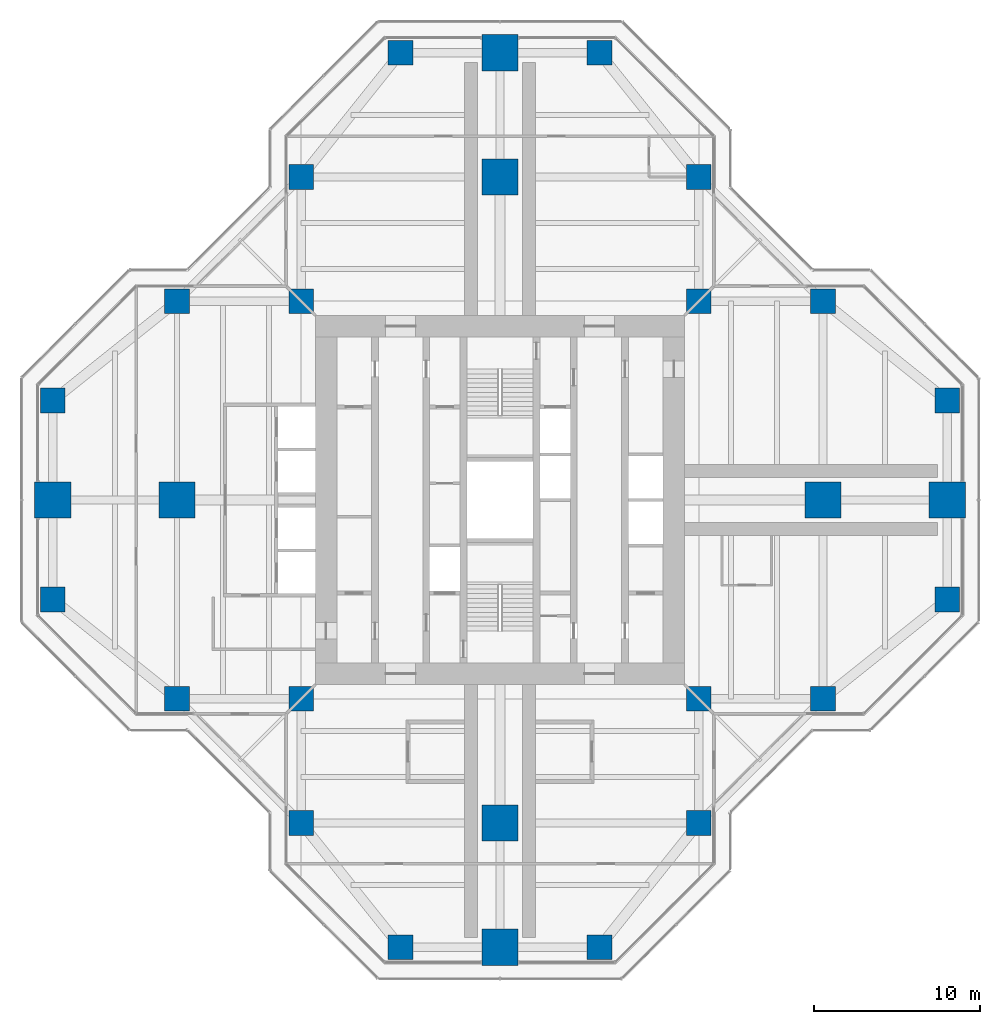
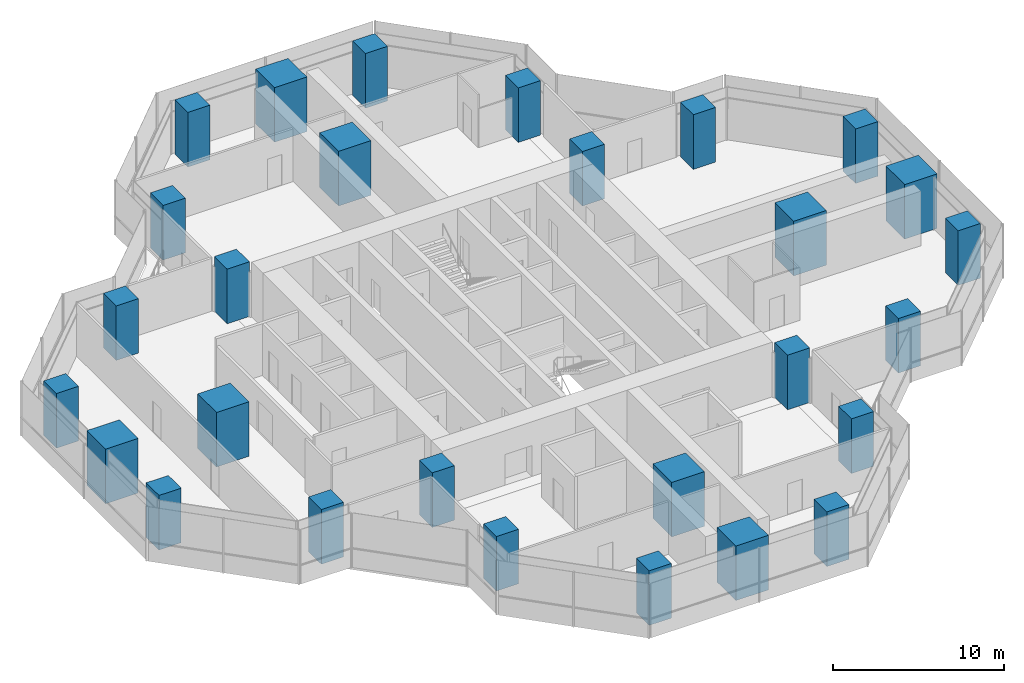
# One storey, part 1 of 17: 28 columns.
"""IFC4 building model written with IfcOpenShell, lengths in metres."""

from ifc_helpers import new_model, si_unit, direction, frame, origin, origin_2d, place, context, subcontext, project, spatial, rectangle, extrude, material, material_profile, profile_set, type_object, element, save


model = new_model("IFC4")

# Units and contexts
model_context = context("Model", 3, precision=1e-05, world=origin(), true_north=direction((0.0, 1.0)))
body_context = subcontext(model_context, "Body", "Model", "MODEL_VIEW")
ifc_project = project(units=[si_unit("LENGTHUNIT", "METRE"), si_unit("AREAUNIT", "SQUARE_METRE"), si_unit("VOLUMEUNIT", "CUBIC_METRE"), si_unit("PLANEANGLEUNIT", "RADIAN"), si_unit("MASSUNIT", "GRAM", prefix="KILO")], contexts=[model_context])

# Site, building, storey
site_placement = place(None, origin())
site = spatial("IfcSite", under=ifc_project, at=site_placement, CompositionType="ELEMENT")
building_placement = place(site_placement, origin())
building = spatial("IfcBuilding", under=site, at=building_placement, Name="Mizan Broadcast Tower", CompositionType="ELEMENT")
storey_placement = place(building_placement, frame((0.0, 0.0, 220.5)))
storey = spatial("IfcBuildingStorey", under=building, at=storey_placement, Name="L51", CompositionType="ELEMENT", Elevation=220.5)

# Columns
ifc_material_1 = material(Name="Concrete C70/85", Category="concrete")
ifc_material_profile_1 = material_profile(ifc_material_1, rectangle(XDim=1.5, YDim=1.5, at=origin_2d()), Name="RC 1500x1500")
ifc_profile_set_1 = profile_set([ifc_material_profile_1], Name="Concrete C70/85")
column_type_1 = type_object("IfcColumnType", Name="RC COLUMN 1500x1500 C70/85", PredefinedType="COLUMN", material=ifc_profile_set_1)
for number, where, z_axis, x_axis, name in (
    (1, (-6.0, -27.0, 0.0), (0.0, 0.0, 1.0), (1.0, 0.0, 0.0), "Column 5/B L51"),
    (2, (6.0, -27.0, 0.0), (0.0, 0.0, 1.0), (1.0, 0.0, 0.0), "Column 7/B L51"),
    (3, (-12.0, -19.5, 0.0), (0.0, 0.0, 1.0), (1.0, 0.0, 0.0), "Column 4/C L51"),
    (4, (12.0, -19.5, 0.0), (0.0, 0.0, 1.0), (1.0, 0.0, 0.0), "Column 8/C L51"),
    (5, (-19.5, -12.0, 0.0), (0.0, 0.0, 1.0), (1.0, 0.0, 0.0), "Column 3/D L51"),
    (6, (-12.0, -12.0, 0.0), (0.0, 0.0, 1.0), (1.0, 0.0, 0.0), "Column 4/D L51"),
    (7, (12.0, -12.0, 0.0), (0.0, 0.0, 1.0), (1.0, 0.0, 0.0), "Column 8/D L51"),
    (8, (19.5, -12.0, 0.0), (0.0, 0.0, 1.0), (1.0, 0.0, 0.0), "Column 9/D L51"),
    (9, (-27.0, -6.0, 0.0), (0.0, 0.0, 1.0), (1.0, 0.0, 0.0), "Column 2/E L51"),
    (10, (27.0, -6.0, 0.0), (0.0, 0.0, 1.0), (1.0, 0.0, 0.0), "Column 10/E L51"),
    (11, (-27.0, 6.0, 0.0), (0.0, 0.0, 1.0), (1.0, 0.0, 0.0), "Column 2/G L51"),
    (12, (27.0, 6.0, 0.0), (0.0, 0.0, 1.0), (1.0, 0.0, 0.0), "Column 10/G L51"),
    (13, (-19.5, 12.0, 0.0), (0.0, 0.0, 1.0), (1.0, 0.0, 0.0), "Column 3/H L51"),
    (14, (-12.0, 12.0, 0.0), (0.0, 0.0, 1.0), (1.0, 0.0, 0.0), "Column 4/H L51"),
    (15, (12.0, 12.0, 0.0), (0.0, 0.0, 1.0), (1.0, 0.0, 0.0), "Column 8/H L51"),
    (16, (19.5, 12.0, 0.0), (0.0, 0.0, 1.0), (1.0, 0.0, 0.0), "Column 9/H L51"),
    (17, (-12.0, 19.5, 0.0), (0.0, 0.0, 1.0), (1.0, 0.0, 0.0), "Column 4/J L51"),
    (18, (12.0, 19.5, 0.0), (0.0, 0.0, 1.0), (1.0, 0.0, 0.0), "Column 8/J L51"),
    (19, (-6.0, 27.0, 0.0), (0.0, 0.0, 1.0), (1.0, 0.0, 0.0), "Column 5/K L51"),
    (20, (6.0, 27.0, 0.0), (0.0, 0.0, 1.0), (1.0, 0.0, 0.0), "Column 7/K L51"),
):
    element("IfcColumn", number, at=place(storey_placement, frame(where, z_axis=z_axis, x_axis=x_axis)), inside=storey, type_object=column_type_1, Name=name, PredefinedType="COLUMN", context=body_context, shape_type="SweptSolid", body=[
        extrude(rectangle(XDim=1.5, YDim=1.5, at=origin_2d()), origin(), (0.0, 0.0, 1.0), 3.89990234375),
    ])
ifc_material_2 = material(Name="Concrete C70/85", Category="concrete")
ifc_material_profile_2 = material_profile(ifc_material_2, rectangle(XDim=2.199951171875, YDim=2.199951171875, at=origin_2d()), Name="RC 2200x2200")
ifc_profile_set_2 = profile_set([ifc_material_profile_2], Name="Concrete C70/85")
column_type_2 = type_object("IfcColumnType", Name="RC COLUMN 2200x2200 C70/85", PredefinedType="COLUMN", material=ifc_profile_set_2)
for number, where, z_axis, x_axis, name in (
    (21, (0.0, -27.0, 0.0), (0.0, 0.0, 1.0), (1.0, 0.0, 0.0), "Column 6/B L51"),
    (22, (0.0, -19.5, 0.0), (0.0, 0.0, 1.0), (1.0, 0.0, 0.0), "Column 6/C L51"),
    (23, (-27.0, 0.0, 0.0), (0.0, 0.0, 1.0), (1.0, 0.0, 0.0), "Column 2/F L51"),
    (24, (-19.5, 0.0, 0.0), (0.0, 0.0, 1.0), (1.0, 0.0, 0.0), "Column 3/F L51"),
    (25, (19.5, 0.0, 0.0), (0.0, 0.0, 1.0), (1.0, 0.0, 0.0), "Column 9/F L51"),
    (26, (27.0, 0.0, 0.0), (0.0, 0.0, 1.0), (1.0, 0.0, 0.0), "Column 10/F L51"),
    (27, (0.0, 19.5, 0.0), (0.0, 0.0, 1.0), (1.0, 0.0, 0.0), "Column 6/J L51"),
    (28, (0.0, 27.0, 0.0), (0.0, 0.0, 1.0), (1.0, 0.0, 0.0), "Column 6/K L51"),
):
    element("IfcColumn", number, at=place(storey_placement, frame(where, z_axis=z_axis, x_axis=x_axis)), inside=storey, type_object=column_type_2, Name=name, PredefinedType="COLUMN", context=body_context, shape_type="SweptSolid", body=[
        extrude(rectangle(XDim=2.199951171875, YDim=2.199951171875, at=origin_2d()), origin(), (0.0, 0.0, 1.0), 3.89990234375),
    ])

save(model, "model.ifc")
